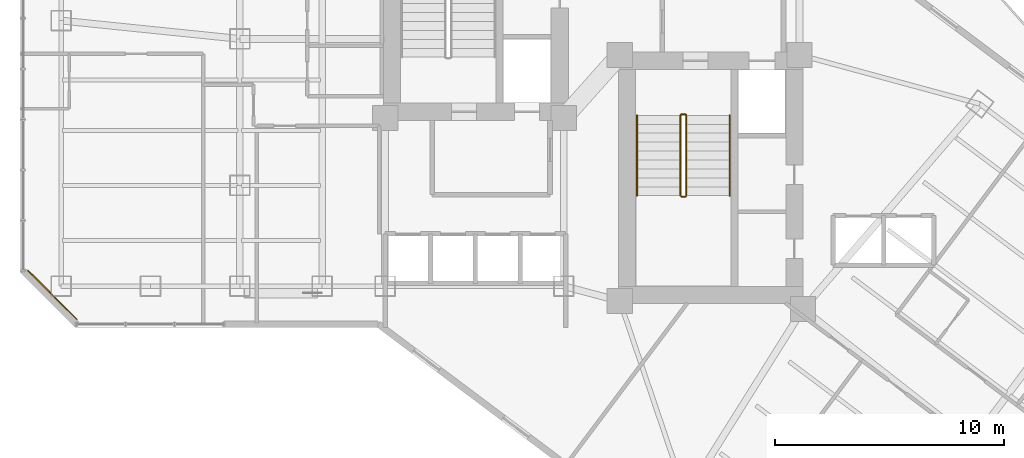
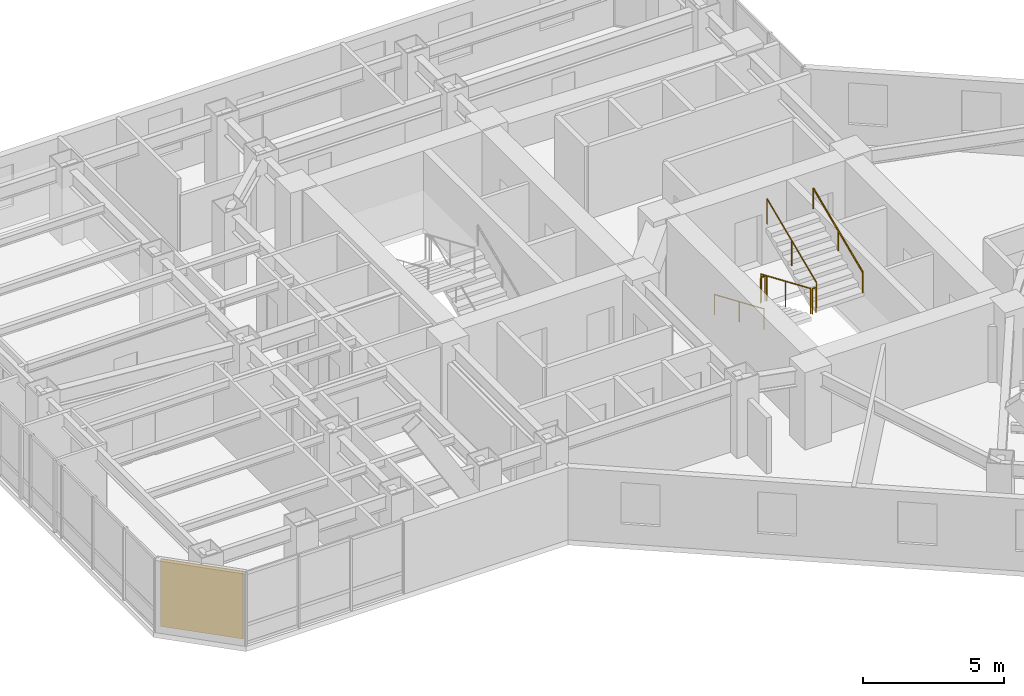
# One storey, part 28 of 31: 7 railings, 1 covering.
"""IFC4 building model written with IfcOpenShell, lengths in metres."""

import ifcopenshell
import ifcopenshell.guid

model = None  # the IFC model being written
_history = None  # IfcOwnerHistory: only IFC2X3 demands one
_inside = {}  # id of a spatial element -> (the spatial element, [elements in it])
_under = {}  # id of a project, library or spatial element -> (it, [spatial elements below it])
_declared = {}  # id of a project -> (the project, [libraries it declares])
_typed = {}  # id of a type object -> (the type object, [elements of that type])
_made_of = {}  # id of a material, layer set ... -> (it, [elements and type objects made of it])


def new_model(schema):
    """Start an empty IFC model of exactly this schema.

    Asked for "IFC4X3", IfcOpenShell would pick the latest addendum, in which some entities
    have other attributes; the version numbers below select the first issue.
    IFC2X3 requires an IfcOwnerHistory on every rooted entity: one is made here for all.
    """
    global model, _history
    if schema == "IFC4X3":
        model = ifcopenshell.file(schema_version=(4, 3, 0, 0))
    else:
        model = ifcopenshell.file(schema=schema)
    _inside.clear()
    _under.clear()
    _declared.clear()
    _typed.clear()
    _made_of.clear()
    _history = None
    if model.schema == "IFC2X3":
        org = make("IfcOrganization", Name="unknown")
        user = make(
            "IfcPersonAndOrganization",
            ThePerson=make("IfcPerson", FamilyName="unknown"),
            TheOrganization=org,
        )
        app = make(
            "IfcApplication",
            ApplicationDeveloper=org,
            Version="unknown",
            ApplicationFullName="unknown",
            ApplicationIdentifier="unknown",
        )
        _history = make(
            "IfcOwnerHistory",
            OwningUser=user,
            OwningApplication=app,
            ChangeAction="ADDED",
            CreationDate=0,
        )
    return model


def make(cls, **values):
    """One entity of the class cls with the attributes given. An attribute that is None is left unset."""
    return model.create_entity(
        cls, **{name: value for name, value in values.items() if value is not None}
    )


def rooted(cls, **values):
    """An entity with a GlobalId (a new one), such as an element, a storey or a relation."""
    return make(cls, GlobalId=ifcopenshell.guid.new(), OwnerHistory=_history, **values)


def si_unit(unit_type, name, prefix=None):
    """IfcSIUnit, for example si_unit("LENGTHUNIT", "METRE", prefix="MILLI")."""
    return make("IfcSIUnit", UnitType=unit_type, Prefix=prefix, Name=name)


def assignment(units):
    """IfcUnitAssignment: the units of a project."""
    return None if units is None else make("IfcUnitAssignment", Units=units)


def point(xyz):
    """IfcCartesianPoint."""
    return None if xyz is None else make("IfcCartesianPoint", Coordinates=xyz)


def direction(xyz):
    """IfcDirection."""
    return None if xyz is None else make("IfcDirection", DirectionRatios=xyz)


def frame(location, z_axis=None, x_axis=None):
    """IfcAxis2Placement3D, a coordinate frame: its origin and axes. An axis left out is left unset."""
    return make(
        "IfcAxis2Placement3D",
        Location=point(location),
        Axis=direction(z_axis),
        RefDirection=direction(x_axis),
    )


def frame_2d(location, x_axis=None):
    """IfcAxis2Placement2D, a coordinate frame in the plane: its origin and x axis."""
    return make(
        "IfcAxis2Placement2D", Location=point(location), RefDirection=direction(x_axis)
    )


def origin():
    """The frame at (0, 0, 0) with its axes left unset."""
    return frame((0.0, 0.0, 0.0))


def origin_2d():
    """The frame at (0, 0) in the plane with its x axis left unset."""
    return frame_2d((0.0, 0.0))


def place(relative_to, where):
    """IfcLocalPlacement: puts the frame where relative to a parent placement (None: the world)."""
    return make(
        "IfcLocalPlacement", PlacementRelTo=relative_to, RelativePlacement=where
    )


def context(
    kind, dimensions, precision=None, world=None, true_north=None, identifier=None
):
    """IfcGeometricRepresentationContext, for example the 3D "Model" context."""
    return make(
        "IfcGeometricRepresentationContext",
        ContextIdentifier=identifier,
        ContextType=kind,
        CoordinateSpaceDimension=dimensions,
        Precision=precision,
        WorldCoordinateSystem=world,
        TrueNorth=true_north,
    )


def subcontext(parent, identifier, kind, view, scale=None):
    """IfcGeometricRepresentationSubContext, for example "Body" below "Model"."""
    return make(
        "IfcGeometricRepresentationSubContext",
        ContextIdentifier=identifier,
        ContextType=kind,
        ParentContext=parent,
        TargetScale=scale,
        TargetView=view,
    )


def project(units=None, contexts=None):
    """IfcProject with its units and contexts."""
    return rooted(
        "IfcProject",
        Name="project",
        RepresentationContexts=contexts,
        UnitsInContext=assignment(units),
    )


def spatial(cls, under=None, at=None, **own):
    """A site, building, storey or space (cls), placed at a placement, below another one or the project."""
    s = rooted(cls, ObjectPlacement=at, **own)
    if under is not None:
        _under.setdefault(under.id(), (under, []))[1].append(s)
    return s


def profile(cls, at=None, kind="AREA", **sizes):
    """A parametric profile (cls). Its sizes go by their IFC names, for example OverallWidth=200.0."""
    return make(cls, ProfileType=kind, Position=at, **sizes)


def rectangle(**sizes):
    """IfcRectangleProfileDef."""
    return profile("IfcRectangleProfileDef", **sizes)


def circle(**sizes):
    """IfcCircleProfileDef."""
    return profile("IfcCircleProfileDef", **sizes)


def extrude(swept, where, along, depth):
    """IfcExtrudedAreaSolid: the profile swept, set in the frame where, extruded along a direction by depth."""
    return make(
        "IfcExtrudedAreaSolid",
        SweptArea=swept,
        Position=where,
        ExtrudedDirection=direction(along),
        Depth=depth,
    )


def shape(context_of_items, identifier, shape_type, items):
    """IfcShapeRepresentation: the items that make up one representation, for example the "Body"."""
    return make(
        "IfcShapeRepresentation",
        ContextOfItems=context_of_items,
        RepresentationIdentifier=identifier,
        RepresentationType=shape_type,
        Items=items,
    )


def material(Name=None, Category=None):
    """IfcMaterial."""
    return make("IfcMaterial", Name=Name, Category=Category)


def layer(
    of_material, thickness, ventilated=None, Name=None, Category=None, Priority=None
):
    """IfcMaterialLayer: one layer of a wall or slab, of a material (None: an air gap)."""
    return make(
        "IfcMaterialLayer",
        Material=of_material,
        LayerThickness=thickness,
        IsVentilated=ventilated,
        Name=Name,
        Category=Category,
        Priority=Priority,
    )


def layer_set(layers, Name=None):
    """IfcMaterialLayerSet."""
    return make("IfcMaterialLayerSet", MaterialLayers=layers, LayerSetName=Name)


def made_of(thing, what):
    """Note that an element or type object is made of a material, layer set ...; save() writes the relation."""
    if what is not None:
        _made_of.setdefault(what.id(), (what, []))[1].append(thing)
    return thing


def type_object(cls, material=None, **own):
    """A type object (cls), such as IfcWallType, which elements share."""
    return made_of(rooted(cls, **own), material)


def element(
    cls,
    number,
    at=None,
    inside=None,
    cuts=None,
    type_object=None,
    material=None,
    context=None,
    identifier="Body",
    shape_type=None,
    held_by="IfcProductDefinitionShape",
    body=None,
    shapes=None,
    **own,
):
    """One element of the class cls, such as IfcWall. Its Tag is "e" and its number.

    at: its placement. inside: the storey or other place that contains it. cuts: it is an
    opening in that element (IfcRelVoidsElement). A single representation is given by context,
    identifier, shape_type and body (its items); several are given by shapes. held_by: the class
    of the entity that holds the representations. save() writes the other relations.
    """
    e = rooted(cls, Tag="e%d" % number, ObjectPlacement=at, **own)
    if body is not None:
        shapes = [shape(context, identifier, shape_type, body)]
    if shapes is not None:
        e.Representation = make(held_by, Representations=shapes)
    if inside is not None:
        _inside.setdefault(inside.id(), (inside, []))[1].append(e)
    if cuts is not None:
        rooted(
            "IfcRelVoidsElement", RelatingBuildingElement=cuts, RelatedOpeningElement=e
        )
    if type_object is not None:
        _typed.setdefault(type_object.id(), (type_object, []))[1].append(e)
    return made_of(e, material)


def aggregate(whole, parts):
    """IfcRelAggregates: a whole, such as a stair, and the parts it consists of."""
    return rooted("IfcRelAggregates", RelatingObject=whole, RelatedObjects=parts)


def save(model, path):
    """Write the relations noted so far, then the file.

    IfcRelAggregates (storeys below a building ...), IfcRelContainedInSpatialStructure (elements
    in a storey), IfcRelDefinesByType, IfcRelAssociatesMaterial and IfcRelDeclares: one each for
    every whole, place, type object, material and project.
    """
    for whole, parts in _under.values():
        aggregate(whole, parts)
    for where, things in _inside.values():
        rooted(
            "IfcRelContainedInSpatialStructure",
            RelatedElements=things,
            RelatingStructure=where,
        )
    for kind, things in _typed.values():
        rooted("IfcRelDefinesByType", RelatedObjects=things, RelatingType=kind)
    for what, things in _made_of.values():
        rooted("IfcRelAssociatesMaterial", RelatedObjects=things, RelatingMaterial=what)
    for by, libraries in _declared.values():
        rooted("IfcRelDeclares", RelatingContext=by, RelatedDefinitions=libraries)
    model.write(path)


model = new_model("IFC4")

# Units and contexts
model_context = context("Model", 3, precision=1e-05, world=origin(), true_north=direction((0.0, 1.0)))
body_context = subcontext(model_context, "Body", "Model", "MODEL_VIEW")
ifc_project = project(units=[si_unit("LENGTHUNIT", "METRE"), si_unit("AREAUNIT", "SQUARE_METRE"), si_unit("VOLUMEUNIT", "CUBIC_METRE"), si_unit("PLANEANGLEUNIT", "RADIAN"), si_unit("MASSUNIT", "GRAM", prefix="KILO")], contexts=[model_context])

# Site, building, storey
site_placement = place(None, origin())
site = spatial("IfcSite", under=ifc_project, at=site_placement, CompositionType="ELEMENT")
building_placement = place(site_placement, origin())
building = spatial("IfcBuilding", under=site, at=building_placement, Name="Hatsunagi Terrace Concourse", CompositionType="ELEMENT")
storey_placement = place(building_placement, frame((0.0, 0.0, 77.949951171875)))
storey = spatial("IfcBuildingStorey", under=building, at=storey_placement, Name="L20", CompositionType="ELEMENT", Elevation=77.949951171875)

# Railings
ifc_material_1 = material(Name="Stainless steel", Category="steel")
ifc_layer_1 = layer(ifc_material_1, 0.044921875)
ifc_layer_set_1 = layer_set([ifc_layer_1], Name="StairPitchHandrail_Tower2000")
railing_type_1 = type_object("IfcRailingType", Name="StairPitchHandrail_Tower2000", PredefinedType="HANDRAIL", material=ifc_layer_set_1)
railing_1_placement = place(storey_placement, frame((36.550048828125, 32.659912109375, 0.16748046875)))
element("IfcRailing", 1, at=railing_1_placement, inside=storey, type_object=railing_type_1, Name="L20 ST-B stair handrail 1", PredefinedType="HANDRAIL", context=body_context, shape_type="SweptSolid", body=[
    extrude(circle(Radius=0.02392578125, at=origin_2d()), frame((0.0, 0.0, 0.8759765625), z_axis=(0.0, -0.918834009242, 0.394644223904), x_axis=(1.0, 0.0, 0.0)), (0.0, 0.0, 1.0), 3.820068359375),
    extrude(circle(Radius=0.02099609375, at=origin_2d()), origin(), (0.0, 0.0, 1.0), 0.851806640625),
    extrude(circle(Radius=0.02099609375, at=origin_2d()), frame((0.0, -1.7548828125, 0.75390625)), (0.0, 0.0, 1.0), 0.851806640625),
    extrude(circle(Radius=0.02099609375, at=origin_2d()), frame((0.0, -3.510009765625, 1.507568359375)), (0.0, 0.0, 1.0), 0.851806640625),
])
railing_2_placement = place(storey_placement, frame((40.60009765625, 29.14990234375, 1.842529296875)))
element("IfcRailing", 2, at=railing_2_placement, inside=storey, type_object=railing_type_1, Name="L20 ST-B stair handrail 2", PredefinedType="HANDRAIL", context=body_context, shape_type="SweptSolid", body=[
    extrude(circle(Radius=0.02392578125, at=origin_2d()), frame((0.0, 0.0, 0.8759765625), z_axis=(0.0, 0.918834009242, 0.394644223904), x_axis=(-1.0, 0.0, 0.0)), (0.0, 0.0, 1.0), 3.820068359375),
    extrude(circle(Radius=0.02099609375, at=origin_2d()), origin(), (0.0, 0.0, 1.0), 0.851806640625),
    extrude(circle(Radius=0.02099609375, at=origin_2d()), frame((0.0, 1.7548828125, 0.75390625)), (0.0, 0.0, 1.0), 0.851806640625),
    extrude(circle(Radius=0.02099609375, at=origin_2d()), frame((0.0, 3.510009765625, 1.507568359375)), (0.0, 0.0, 1.0), 0.851806640625),
])
ifc_material_2 = material(Name="Stainless steel", Category="steel")
ifc_layer_2 = layer(ifc_material_2, 0.06005859375)
ifc_layer_set_2 = layer_set([ifc_layer_2], Name="StairWellGuard_Tower2000")
railing_type_2 = type_object("IfcRailingType", Name="StairWellGuard_Tower2000", PredefinedType="BALUSTRADE", material=ifc_layer_set_2)
railing_3_placement = place(storey_placement, frame((38.449951171875, 32.659912109375, 0.16748046875)))
element("IfcRailing", 3, at=railing_3_placement, inside=storey, type_object=railing_type_2, Name="L20 ST-B stair guard 1", PredefinedType="BALUSTRADE", context=body_context, shape_type="SweptSolid", body=[
    extrude(circle(Radius=0.02392578125, at=origin_2d()), frame((0.0, 0.0, 1.09619140625), z_axis=(0.0, -0.918834009242, 0.394644223904), x_axis=(1.0, 0.0, 0.0)), (0.0, 0.0, 1.0), 3.820068359375),
    extrude(circle(Radius=0.02099609375, at=origin_2d()), origin(), (0.0, 0.0, 1.0), 1.072021484375),
    extrude(circle(Radius=0.02099609375, at=origin_2d()), frame((0.0, -1.7548828125, 0.75390625)), (0.0, 0.0, 1.0), 1.072021484375),
    extrude(circle(Radius=0.02099609375, at=origin_2d()), frame((0.0, -3.510009765625, 1.507568359375)), (0.0, 0.0, 1.0), 1.072021484375),
])
railing_4_placement = place(storey_placement, frame((38.5, 29.10009765625, 1.675048828125)))
element("IfcRailing", 4, at=railing_4_placement, inside=storey, type_object=railing_type_2, Name="L20 ST-B stair guard 2", PredefinedType="BALUSTRADE", context=body_context, shape_type="SweptSolid", body=[
    extrude(circle(Radius=0.02392578125, at=origin_2d()), frame((0.0, 0.0, 1.09619140625), z_axis=(1.0, 0.0, 0.0), x_axis=(0.0, 1.0, 0.0)), (0.0, 0.0, 1.0), 0.14990234375),
    extrude(circle(Radius=0.02099609375, at=origin_2d()), origin(), (0.0, 0.0, 1.0), 1.072021484375),
    extrude(circle(Radius=0.02099609375, at=origin_2d()), frame((0.14990234375, 0.0, 0.0)), (0.0, 0.0, 1.0), 1.072021484375),
])
railing_5_placement = place(storey_placement, frame((38.699951171875, 29.14990234375, 1.842529296875)))
element("IfcRailing", 5, at=railing_5_placement, inside=storey, type_object=railing_type_2, Name="L20 ST-B stair guard 3", PredefinedType="BALUSTRADE", context=body_context, shape_type="SweptSolid", body=[
    extrude(circle(Radius=0.02392578125, at=origin_2d()), frame((0.0, 0.0, 1.09619140625), z_axis=(0.0, 0.918834009242, 0.394644223904), x_axis=(-1.0, 0.0, 0.0)), (0.0, 0.0, 1.0), 3.820068359375),
    extrude(circle(Radius=0.02099609375, at=origin_2d()), origin(), (0.0, 0.0, 1.0), 1.072021484375),
    extrude(circle(Radius=0.02099609375, at=origin_2d()), frame((0.0, 1.7548828125, 0.75390625)), (0.0, 0.0, 1.0), 1.072021484375),
    extrude(circle(Radius=0.02099609375, at=origin_2d()), frame((0.0, 3.510009765625, 1.507568359375)), (0.0, 0.0, 1.0), 1.072021484375),
])
railing_6_placement = place(storey_placement, frame((38.5, 32.7099609375, 0.0)))
element("IfcRailing", 6, at=railing_6_placement, inside=storey, type_object=railing_type_2, Name="L20 ST-B stair guard 4", PredefinedType="BALUSTRADE", context=body_context, shape_type="SweptSolid", body=[
    extrude(circle(Radius=0.02392578125, at=origin_2d()), frame((0.0, 0.0, 1.09619140625), z_axis=(1.0, 0.0, 0.0), x_axis=(0.0, 1.0, 0.0)), (0.0, 0.0, 1.0), 0.14990234375),
    extrude(circle(Radius=0.02099609375, at=origin_2d()), origin(), (0.0, 0.0, 1.0), 1.072021484375),
    extrude(circle(Radius=0.02099609375, at=origin_2d()), frame((0.14990234375, 0.0, 0.0)), (0.0, 0.0, 1.0), 1.072021484375),
])
ifc_material_3 = material(Name="Stainless Steel SUS316 Post-and-Rail Guard", Category="steel")
ifc_layer_3 = layer(ifc_material_3, 0.080078125)
ifc_layer_set_3 = layer_set([ifc_layer_3], Name="TerracePlantedGuardRail_1200")
railing_type_3 = type_object("IfcRailingType", Name="TerracePlantedGuardRail_1200", PredefinedType="GUARDRAIL", material=ifc_layer_set_3)
railing_7_placement = place(storey_placement, frame((38.449951171875, 32.679931640625, 0.0)))
element("IfcRailing", 7, at=railing_7_placement, inside=storey, type_object=railing_type_3, Name="Stair ST-B Well Closure Guard L20", PredefinedType="GUARDRAIL", context=body_context, shape_type="SweptSolid", body=[
    extrude(circle(Radius=0.02392578125, at=origin_2d()), frame((0.0, 0.0, 1.09619140625), z_axis=(1.0, 0.0, 0.0), x_axis=(0.0, 1.0, 0.0)), (0.0, 0.0, 1.0), 0.25),
    extrude(circle(Radius=0.02099609375, at=origin_2d()), origin(), (0.0, 0.0, 1.0), 1.072021484375),
    extrude(circle(Radius=0.02099609375, at=origin_2d()), frame((0.25, 0.0, 0.0)), (0.0, 0.0, 1.0), 1.072021484375),
])

# Covering
ifc_material_4 = material(Name="Unglazed Warm Terracotta Rainscreen Tile", Category="masonry")
ifc_layer_4 = layer(ifc_material_4, 0.044921875)
ifc_layer_set_4 = layer_set([ifc_layer_4], Name="TerracottaRainscreenCladding_45")
covering_type = type_object("IfcCoveringType", Name="TerracottaRainscreenCladding_45", PredefinedType="CLADDING", material=ifc_layer_set_4)
covering_placement = place(storey_placement, frame((11.013916015625, 24.81396484375, 0.10009765625), z_axis=(0.0, 0.0, 1.0), x_axis=(-0.707106781187, 0.707106781187, 0.0)))
element("IfcCovering", 8, at=covering_placement, inside=storey, type_object=covering_type, Name="Terracotta Rainscreen Cladding L20-08", PredefinedType="CLADDING", context=body_context, shape_type="SweptSolid", body=[
    extrude(rectangle(XDim=3.0380859375, YDim=0.044921875, at=origin_2d()), origin(), (0.0, 0.0, 1.0), 2.929931640625),
])

save(model, "model.ifc")
